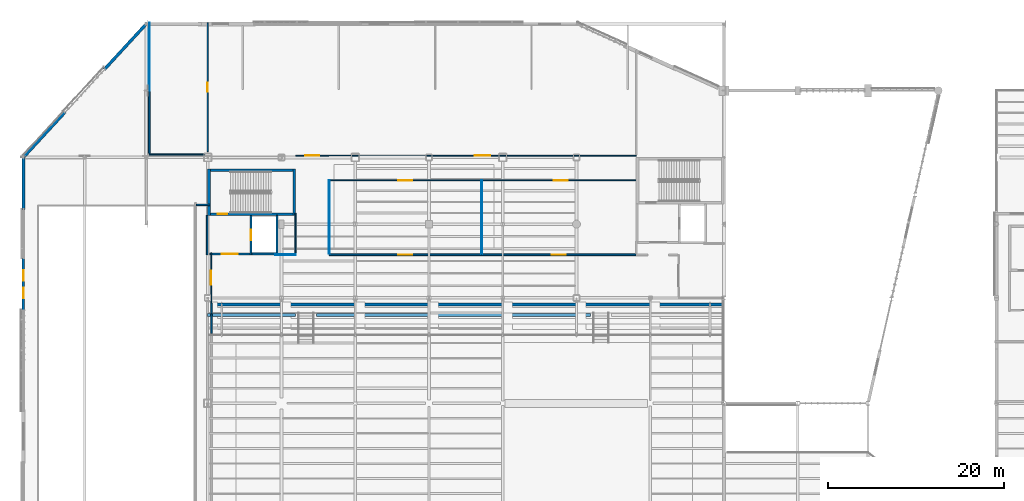
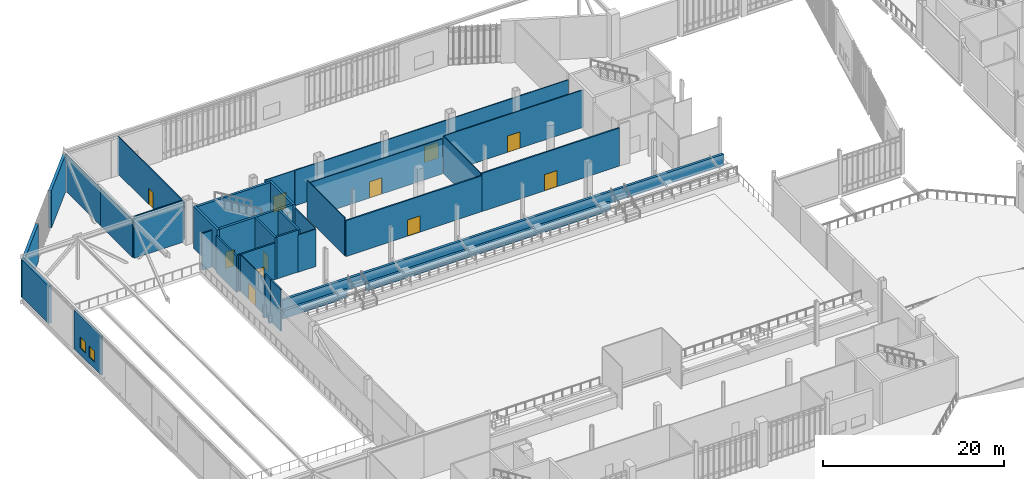
# One storey, part 111 of 135: 34 walls, 11 doors, 2 windows, 13 openings.
"""IFC4 building model written with IfcOpenShell, lengths in metres."""

import ifcopenshell
import ifcopenshell.guid

model = None  # the IFC model being written
_history = None  # IfcOwnerHistory: only IFC2X3 demands one
_inside = {}  # id of a spatial element -> (the spatial element, [elements in it])
_under = {}  # id of a project, library or spatial element -> (it, [spatial elements below it])
_declared = {}  # id of a project -> (the project, [libraries it declares])
_typed = {}  # id of a type object -> (the type object, [elements of that type])
_made_of = {}  # id of a material, layer set ... -> (it, [elements and type objects made of it])


def new_model(schema):
    """Start an empty IFC model of exactly this schema.

    Asked for "IFC4X3", IfcOpenShell would pick the latest addendum, in which some entities
    have other attributes; the version numbers below select the first issue.
    IFC2X3 requires an IfcOwnerHistory on every rooted entity: one is made here for all.
    """
    global model, _history
    if schema == "IFC4X3":
        model = ifcopenshell.file(schema_version=(4, 3, 0, 0))
    else:
        model = ifcopenshell.file(schema=schema)
    _inside.clear()
    _under.clear()
    _declared.clear()
    _typed.clear()
    _made_of.clear()
    _history = None
    if model.schema == "IFC2X3":
        org = make("IfcOrganization", Name="unknown")
        user = make(
            "IfcPersonAndOrganization",
            ThePerson=make("IfcPerson", FamilyName="unknown"),
            TheOrganization=org,
        )
        app = make(
            "IfcApplication",
            ApplicationDeveloper=org,
            Version="unknown",
            ApplicationFullName="unknown",
            ApplicationIdentifier="unknown",
        )
        _history = make(
            "IfcOwnerHistory",
            OwningUser=user,
            OwningApplication=app,
            ChangeAction="ADDED",
            CreationDate=0,
        )
    return model


def make(cls, **values):
    """One entity of the class cls with the attributes given. An attribute that is None is left unset."""
    return model.create_entity(
        cls, **{name: value for name, value in values.items() if value is not None}
    )


def rooted(cls, **values):
    """An entity with a GlobalId (a new one), such as an element, a storey or a relation."""
    return make(cls, GlobalId=ifcopenshell.guid.new(), OwnerHistory=_history, **values)


def si_unit(unit_type, name, prefix=None):
    """IfcSIUnit, for example si_unit("LENGTHUNIT", "METRE", prefix="MILLI")."""
    return make("IfcSIUnit", UnitType=unit_type, Prefix=prefix, Name=name)


def assignment(units):
    """IfcUnitAssignment: the units of a project."""
    return None if units is None else make("IfcUnitAssignment", Units=units)


def point(xyz):
    """IfcCartesianPoint."""
    return None if xyz is None else make("IfcCartesianPoint", Coordinates=xyz)


def direction(xyz):
    """IfcDirection."""
    return None if xyz is None else make("IfcDirection", DirectionRatios=xyz)


def frame(location, z_axis=None, x_axis=None):
    """IfcAxis2Placement3D, a coordinate frame: its origin and axes. An axis left out is left unset."""
    return make(
        "IfcAxis2Placement3D",
        Location=point(location),
        Axis=direction(z_axis),
        RefDirection=direction(x_axis),
    )


def frame_2d(location, x_axis=None):
    """IfcAxis2Placement2D, a coordinate frame in the plane: its origin and x axis."""
    return make(
        "IfcAxis2Placement2D", Location=point(location), RefDirection=direction(x_axis)
    )


def origin():
    """The frame at (0, 0, 0) with its axes left unset."""
    return frame((0.0, 0.0, 0.0))


def place(relative_to, where):
    """IfcLocalPlacement: puts the frame where relative to a parent placement (None: the world)."""
    return make(
        "IfcLocalPlacement", PlacementRelTo=relative_to, RelativePlacement=where
    )


def context(
    kind, dimensions, precision=None, world=None, true_north=None, identifier=None
):
    """IfcGeometricRepresentationContext, for example the 3D "Model" context."""
    return make(
        "IfcGeometricRepresentationContext",
        ContextIdentifier=identifier,
        ContextType=kind,
        CoordinateSpaceDimension=dimensions,
        Precision=precision,
        WorldCoordinateSystem=world,
        TrueNorth=true_north,
    )


def subcontext(parent, identifier, kind, view, scale=None):
    """IfcGeometricRepresentationSubContext, for example "Body" below "Model"."""
    return make(
        "IfcGeometricRepresentationSubContext",
        ContextIdentifier=identifier,
        ContextType=kind,
        ParentContext=parent,
        TargetScale=scale,
        TargetView=view,
    )


def project(units=None, contexts=None):
    """IfcProject with its units and contexts."""
    return rooted(
        "IfcProject",
        Name="project",
        RepresentationContexts=contexts,
        UnitsInContext=assignment(units),
    )


def spatial(cls, under=None, at=None, **own):
    """A site, building, storey or space (cls), placed at a placement, below another one or the project."""
    s = rooted(cls, ObjectPlacement=at, **own)
    if under is not None:
        _under.setdefault(under.id(), (under, []))[1].append(s)
    return s


def profile(cls, at=None, kind="AREA", **sizes):
    """A parametric profile (cls). Its sizes go by their IFC names, for example OverallWidth=200.0."""
    return make(cls, ProfileType=kind, Position=at, **sizes)


def rectangle(**sizes):
    """IfcRectangleProfileDef."""
    return profile("IfcRectangleProfileDef", **sizes)


def extrude(swept, where, along, depth):
    """IfcExtrudedAreaSolid: the profile swept, set in the frame where, extruded along a direction by depth."""
    return make(
        "IfcExtrudedAreaSolid",
        SweptArea=swept,
        Position=where,
        ExtrudedDirection=direction(along),
        Depth=depth,
    )


def shape(context_of_items, identifier, shape_type, items):
    """IfcShapeRepresentation: the items that make up one representation, for example the "Body"."""
    return make(
        "IfcShapeRepresentation",
        ContextOfItems=context_of_items,
        RepresentationIdentifier=identifier,
        RepresentationType=shape_type,
        Items=items,
    )


def material(Name=None, Category=None):
    """IfcMaterial."""
    return make("IfcMaterial", Name=Name, Category=Category)


def layer(
    of_material, thickness, ventilated=None, Name=None, Category=None, Priority=None
):
    """IfcMaterialLayer: one layer of a wall or slab, of a material (None: an air gap)."""
    return make(
        "IfcMaterialLayer",
        Material=of_material,
        LayerThickness=thickness,
        IsVentilated=ventilated,
        Name=Name,
        Category=Category,
        Priority=Priority,
    )


def layer_set(layers, Name=None):
    """IfcMaterialLayerSet."""
    return make("IfcMaterialLayerSet", MaterialLayers=layers, LayerSetName=Name)


def made_of(thing, what):
    """Note that an element or type object is made of a material, layer set ...; save() writes the relation."""
    if what is not None:
        _made_of.setdefault(what.id(), (what, []))[1].append(thing)
    return thing


def type_object(cls, material=None, **own):
    """A type object (cls), such as IfcWallType, which elements share."""
    return made_of(rooted(cls, **own), material)


def element(
    cls,
    number,
    at=None,
    inside=None,
    cuts=None,
    type_object=None,
    material=None,
    context=None,
    identifier="Body",
    shape_type=None,
    held_by="IfcProductDefinitionShape",
    body=None,
    shapes=None,
    **own,
):
    """One element of the class cls, such as IfcWall. Its Tag is "e" and its number.

    at: its placement. inside: the storey or other place that contains it. cuts: it is an
    opening in that element (IfcRelVoidsElement). A single representation is given by context,
    identifier, shape_type and body (its items); several are given by shapes. held_by: the class
    of the entity that holds the representations. save() writes the other relations.
    """
    e = rooted(cls, Tag="e%d" % number, ObjectPlacement=at, **own)
    if body is not None:
        shapes = [shape(context, identifier, shape_type, body)]
    if shapes is not None:
        e.Representation = make(held_by, Representations=shapes)
    if inside is not None:
        _inside.setdefault(inside.id(), (inside, []))[1].append(e)
    if cuts is not None:
        rooted(
            "IfcRelVoidsElement", RelatingBuildingElement=cuts, RelatedOpeningElement=e
        )
    if type_object is not None:
        _typed.setdefault(type_object.id(), (type_object, []))[1].append(e)
    return made_of(e, material)


def fill(opening, filler):
    """IfcRelFillsElement: the door or window that sits in an opening."""
    return rooted(
        "IfcRelFillsElement",
        RelatingOpeningElement=opening,
        RelatedBuildingElement=filler,
    )


def aggregate(whole, parts):
    """IfcRelAggregates: a whole, such as a stair, and the parts it consists of."""
    return rooted("IfcRelAggregates", RelatingObject=whole, RelatedObjects=parts)


def save(model, path):
    """Write the relations noted so far, then the file.

    IfcRelAggregates (storeys below a building ...), IfcRelContainedInSpatialStructure (elements
    in a storey), IfcRelDefinesByType, IfcRelAssociatesMaterial and IfcRelDeclares: one each for
    every whole, place, type object, material and project.
    """
    for whole, parts in _under.values():
        aggregate(whole, parts)
    for where, things in _inside.values():
        rooted(
            "IfcRelContainedInSpatialStructure",
            RelatedElements=things,
            RelatingStructure=where,
        )
    for kind, things in _typed.values():
        rooted("IfcRelDefinesByType", RelatedObjects=things, RelatingType=kind)
    for what, things in _made_of.values():
        rooted("IfcRelAssociatesMaterial", RelatedObjects=things, RelatingMaterial=what)
    for by, libraries in _declared.values():
        rooted("IfcRelDeclares", RelatingContext=by, RelatedDefinitions=libraries)
    model.write(path)


model = new_model("IFC4")

# Units and contexts
model_context = context("Model", 3, precision=1e-05, world=origin(), true_north=direction((0.0, 1.0)))
body_context = subcontext(model_context, "Body", "Model", "MODEL_VIEW")
ifc_project = project(units=[si_unit("LENGTHUNIT", "METRE"), si_unit("AREAUNIT", "SQUARE_METRE"), si_unit("VOLUMEUNIT", "CUBIC_METRE"), si_unit("PLANEANGLEUNIT", "RADIAN"), si_unit("MASSUNIT", "GRAM", prefix="KILO")], contexts=[model_context])

# Site, building, storey
site_placement = place(None, origin())
site = spatial("IfcSite", under=ifc_project, at=site_placement, CompositionType="ELEMENT")
building_placement = place(site_placement, origin())
building = spatial("IfcBuilding", under=site, at=building_placement, Name="Larkvane Passage Sports Hall", CompositionType="ELEMENT")
storey_placement = place(building_placement, frame((0.0, 0.0, 10.800048828125)))
storey = spatial("IfcBuildingStorey", under=building, at=storey_placement, Name="L02", CompositionType="ELEMENT", Elevation=10.800048828125)

# Wall
ifc_material_1 = material(Name="Concrete C50/60", Category="concrete")
ifc_layer_1 = layer(ifc_material_1, 0.340087890625)
ifc_layer_set_1 = layer_set([ifc_layer_1], Name="Concrete C50/60")
wall_type_1 = type_object("IfcWallType", Name="WL-CORE-340", PredefinedType="SHEAR", material=ifc_layer_set_1)
wall_1_placement = place(storey_placement, frame((44.64990234375, 90.300048828125, 0.0), z_axis=(0.0, 0.0, 1.0), x_axis=(0.0, -1.0, 0.0)))
element("IfcWall", 1, at=wall_1_placement, inside=storey, type_object=wall_type_1, Name="Core shear wall WAL-CORE-C2-L02-E", PredefinedType="SHEAR", context=body_context, shape_type="SweptSolid", body=[
    extrude(rectangle(XDim=5.300048828125, YDim=0.300048828125, at=frame_2d((2.64990234375, 0.0))), origin(), (0.0, 0.0, 1.0), 5.679931640625),
])

# Wall, opening, door
wall_2_placement = place(storey_placement, frame((44.5, 85.14990234375, 0.0), z_axis=(0.0, 0.0, 1.0), x_axis=(-1.0, 0.0, 0.0)))
wall_2 = element("IfcWall", 2, at=wall_2_placement, inside=storey, type_object=wall_type_1, Name="Core shear wall WAL-CORE-C2-L02-S", PredefinedType="SHEAR", context=body_context, shape_type="SweptSolid", body=[
    extrude(rectangle(XDim=9.39990234375, YDim=0.300048828125, at=frame_2d((4.699951171875, 0.0))), origin(), (0.0, 0.0, 1.0), 5.679931640625),
])
opening_1_placement = place(wall_2_placement, frame((7.5, 0.0, 0.0)))
opening_1 = element("IfcOpeningElement", 3, at=opening_1_placement, cuts=wall_2, Name="Opening DF-01", PredefinedType="OPENING", context=body_context, shape_type="SweptSolid", body=[
    extrude(rectangle(XDim=1.050048828125, YDim=2.199951171875, at=frame_2d((0.52490234375, 1.10009765625))), frame((0.0, 0.159912109375, 0.0), z_axis=(0.0, -1.0, 0.0), x_axis=(1.0, 0.0, 0.0)), (0.0, 0.0, 1.0), 0.320068359375),
])
ifc_material_2 = material(Name="Steel S355JR smoke-sealed fire door", Category="steel")
door_type_1 = type_object("IfcDoorType", Name="DR-FIRE-1050", OperationType="NOTDEFINED", PredefinedType="DOOR", material=ifc_material_2)
door_1_placement = place(opening_1_placement, origin())
door_1 = element("IfcDoor", 4, at=door_1_placement, inside=storey, type_object=door_type_1, Name="Stair ST-02 L02 fire door", OperationType="SINGLE_SWING_RIGHT", OverallHeight=2.199951171875, OverallWidth=1.050048828125, PredefinedType="DOOR", context=body_context, shape_type="SweptSolid", body=[
    extrude(rectangle(XDim=1.050048828125, YDim=2.199951171875, at=frame_2d((0.52490234375, 1.10009765625))), frame((0.0, 0.02490234375, 0.0), z_axis=(0.0, -1.0, 0.0), x_axis=(1.0, 0.0, 0.0)), (0.0, 0.0, 1.0), 0.050048828125),
])
fill(opening_1, door_1)

# Walls
wall_3_placement = place(storey_placement, frame((35.10009765625, 90.14990234375, 0.0), z_axis=(0.0, 0.0, 1.0), x_axis=(1.0, 0.0, 0.0)))
element("IfcWall", 5, at=wall_3_placement, inside=storey, type_object=wall_type_1, Name="Core shear wall WAL-CORE-C2-L02-N", PredefinedType="SHEAR", context=body_context, shape_type="SweptSolid", body=[
    extrude(rectangle(XDim=9.39990234375, YDim=0.300048828125, at=frame_2d((4.699951171875, 0.0))), origin(), (0.0, 0.0, 1.0), 5.679931640625),
])
ifc_layer_2 = layer(ifc_material_1, 0.340087890625)
ifc_layer_set_2 = layer_set([ifc_layer_2], Name="Concrete C50/60")
wall_type_2 = type_object("IfcWallType", Name="WL-CORE-EXT-340", PredefinedType="SHEAR", material=ifc_layer_set_2)
wall_4_placement = place(storey_placement, frame((34.949951171875, 85.0, 0.0), z_axis=(0.0, 0.0, 1.0), x_axis=(0.0, 1.0, 0.0)))
element("IfcWall", 6, at=wall_4_placement, inside=storey, type_object=wall_type_2, Name="Core shear wall WAL-CORE-C2-L02-W", PredefinedType="SHEAR", context=body_context, shape_type="SweptSolid", body=[
    extrude(rectangle(XDim=5.300048828125, YDim=0.300048828125, at=frame_2d((2.64990234375, 0.0))), origin(), (0.0, 0.0, 1.0), 5.679931640625),
])

# Wall, openings, windows
ifc_material_3 = material(Name="Concrete C40/50", Category="concrete")
ifc_layer_3 = layer(ifc_material_3, 0.239990234375)
ifc_layer_set_3 = layer_set([ifc_layer_3], Name="Concrete C40/50")
wall_type_3 = type_object("IfcWallType", Name="WL-EXT-240", PredefinedType="SOLIDWALL", material=ifc_layer_set_3)
wall_5_placement = place(storey_placement, frame((13.800048828125, 74.151611328125, 0.0), z_axis=(0.0, 0.0, 1.0), x_axis=(0.0, 1.0, 0.0)))
wall_5 = element("IfcWall", 7, at=wall_5_placement, inside=storey, type_object=wall_type_3, Name="Exterior wall WAL-EXT-L02-154", PredefinedType="SOLIDWALL", context=body_context, shape_type="SweptSolid", body=[
    extrude(rectangle(XDim=6.008056640625, YDim=0.239990234375, at=frame_2d((3.00390625, 0.0))), origin(), (0.0, 0.0, 1.0), 5.26806640625),
])
opening_2_placement = place(wall_5_placement, frame((1.403076171875, 0.0, 0.89990234375)))
opening_2 = element("IfcOpeningElement", 8, at=opening_2_placement, cuts=wall_5, Name="Opening W-07", PredefinedType="OPENING", context=body_context, shape_type="SweptSolid", body=[
    extrude(rectangle(XDim=1.199951171875, YDim=1.5, at=frame_2d((0.60009765625, 0.75))), frame((0.0, 0.1298828125, 0.0), z_axis=(0.0, -1.0, 0.0), x_axis=(1.0, 0.0, 0.0)), (0.0, 0.0, 1.0), 0.260009765625),
])
opening_3_placement = place(wall_5_placement, frame((3.405029296875, 0.0, 0.89990234375)))
opening_3 = element("IfcOpeningElement", 9, at=opening_3_placement, cuts=wall_5, Name="Opening W-07", PredefinedType="OPENING", context=body_context, shape_type="SweptSolid", body=[
    extrude(rectangle(XDim=1.199951171875, YDim=1.5, at=frame_2d((0.60009765625, 0.75))), frame((0.0, 0.1298828125, 0.0), z_axis=(0.0, -1.0, 0.0), x_axis=(1.0, 0.0, 0.0)), (0.0, 0.0, 1.0), 0.260009765625),
])
ifc_material_4 = material(Name="Thermally broken aluminium and laminated low-E glass", Category="aluminium")
window_type = type_object("IfcWindowType", Name="WN-CAS-1200x1500", PartitioningType="DOUBLE_PANEL_VERTICAL", PredefinedType="WINDOW", material=ifc_material_4)
window_1_placement = place(opening_2_placement, origin())
window_1 = element("IfcWindow", 10, at=window_1_placement, inside=storey, type_object=window_type, Name="Window L02-055", OverallHeight=1.5, OverallWidth=1.199951171875, PartitioningType="DOUBLE_PANEL_VERTICAL", PredefinedType="WINDOW", context=body_context, shape_type="SweptSolid", body=[
    extrude(rectangle(XDim=1.199951171875, YDim=1.5, at=frame_2d((0.60009765625, 0.75))), frame((0.0, 0.030029296875, 0.0), z_axis=(0.0, -1.0, 0.0), x_axis=(1.0, 0.0, 0.0)), (0.0, 0.0, 1.0), 0.06005859375),
])
fill(opening_2, window_1)
window_2_placement = place(opening_3_placement, origin())
window_2 = element("IfcWindow", 11, at=window_2_placement, inside=storey, type_object=window_type, Name="Window L02-056", OverallHeight=1.5, OverallWidth=1.199951171875, PartitioningType="DOUBLE_PANEL_VERTICAL", PredefinedType="WINDOW", context=body_context, shape_type="SweptSolid", body=[
    extrude(rectangle(XDim=1.199951171875, YDim=1.5, at=frame_2d((0.60009765625, 0.75))), frame((0.0, 0.030029296875, 0.0), z_axis=(0.0, -1.0, 0.0), x_axis=(1.0, 0.0, 0.0)), (0.0, 0.0, 1.0), 0.06005859375),
])
fill(opening_3, window_2)

# Walls
ifc_material_5 = material(Name="Precast concrete C45/55", Category="concrete")
ifc_layer_4 = layer(ifc_material_5, 0.344970703125)
ifc_layer_set_4 = layer_set([ifc_layer_4], Name="Precast concrete C45/55")
wall_type_4 = type_object("IfcWallType", Name="WL-EXT-345", PredefinedType="SOLIDWALL", material=ifc_layer_set_4)
wall_6_placement = place(storey_placement, frame((13.800048828125, 85.656494140625, 0.0), z_axis=(0.0, 0.0, 1.0), x_axis=(0.0, 1.0, 0.0)))
element("IfcWall", 12, at=wall_6_placement, inside=storey, type_object=wall_type_4, Name="Exterior wall WAL-EXT-L02-155", PredefinedType="SOLIDWALL", context=body_context, shape_type="SweptSolid", body=[
    extrude(rectangle(XDim=6.109130859375, YDim=0.344970703125, at=frame_2d((3.0546875, 0.0))), origin(), (0.0, 0.0, 1.0), 5.079833984375),
])
for number, where, z_axis, x_axis, name in (
    (13, (13.687744140625, 91.478271484375, 0.0), (0.0, 0.0, 1.0), (0.677479124988, 0.735542000979, 0.0), "Exterior wall WAL-EXT-L02-156"),
    (14, (23.02099609375, 101.611572265625, 0.0), (0.0, 0.0, 1.0), (0.677479124988, 0.735542000979, 0.0), "Exterior wall WAL-EXT-L02-157"),
):
    element("IfcWall", number, at=place(storey_placement, frame(where, z_axis=z_axis, x_axis=x_axis)), inside=storey, type_object=wall_type_4, Name=name, PredefinedType="SOLIDWALL", context=body_context, shape_type="SweptSolid", body=[
        extrude(rectangle(XDim=7.219482421875, YDim=0.344970703125, at=frame_2d((3.60986328125, 0.0))), origin(), (0.0, 0.0, 1.0), 5.079833984375),
    ])

# Wall, opening, door
ifc_layer_5 = layer(ifc_material_3, 0.199951171875)
ifc_layer_set_5 = layer_set([ifc_layer_5], Name="Concrete C40/50")
wall_type_5 = type_object("IfcWallType", Name="WL-LOBBY-200", PredefinedType="SOLIDWALL", material=ifc_layer_set_5)
wall_7_placement = place(storey_placement, frame((35.0, 80.60009765625, 0.0), z_axis=(0.0, 0.0, 1.0), x_axis=(1.0, 0.0, 0.0)))
wall_7 = element("IfcWall", 15, at=wall_7_placement, inside=storey, type_object=wall_type_5, Name="Protected stair lobby wall C2 L02", PredefinedType="SOLIDWALL", context=body_context, shape_type="SweptSolid", body=[
    extrude(rectangle(XDim=4.60009765625, YDim=0.199951171875, at=frame_2d((2.300048828125, 0.0))), origin(), (0.0, 0.0, 1.0), 4.949951171875),
])
opening_4_placement = place(wall_7_placement, frame((1.39990234375, 0.0, 0.0)))
opening_4 = element("IfcOpeningElement", 16, at=opening_4_placement, cuts=wall_7, Name="Opening DF-02", PredefinedType="OPENING", context=body_context, shape_type="SweptSolid", body=[
    extrude(rectangle(XDim=1.800048828125, YDim=2.199951171875, at=frame_2d((0.89990234375, 1.10009765625))), frame((0.0, 0.10986328125, 0.0), z_axis=(0.0, -1.0, 0.0), x_axis=(1.0, 0.0, 0.0)), (0.0, 0.0, 1.0), 0.219970703125),
])
ifc_material_6 = material(Name="Steel S355JR double smoke-sealed fire door", Category="steel")
door_type_2 = type_object("IfcDoorType", Name="DR-FIRE-1800", OperationType="DOUBLE_DOOR_SINGLE_SWING", PredefinedType="DOOR", material=ifc_material_6)
door_2_placement = place(opening_4_placement, origin())
door_2 = element("IfcDoor", 17, at=door_2_placement, inside=storey, type_object=door_type_2, Name="Lobby smoke door C2 L02", OperationType="DOUBLE_DOOR_SINGLE_SWING", OverallHeight=2.199951171875, OverallWidth=1.800048828125, PredefinedType="DOOR", context=body_context, shape_type="SweptSolid", body=[
    extrude(rectangle(XDim=1.800048828125, YDim=2.199951171875, at=frame_2d((0.89990234375, 1.10009765625))), frame((0.0, 0.02490234375, 0.0), z_axis=(0.0, -1.0, 0.0), x_axis=(1.0, 0.0, 0.0)), (0.0, 0.0, 1.0), 0.050048828125),
])
fill(opening_4, door_2)

# Walls
ifc_material_7 = material(Name="Gypsum twin-stud acoustic partition")
ifc_layer_6 = layer(ifc_material_7, 0.10009765625)
ifc_layer_set_6 = layer_set([ifc_layer_6], Name="Gypsum twin-stud acoustic partition")
wall_type_6 = type_object("IfcWallType", Name="WL-PART-100", PredefinedType="PARTITIONING", material=ifc_layer_set_6)
wall_8_placement = place(storey_placement, frame((28.139892578125, 99.199951171875, 0.0), z_axis=(0.0, 0.0, 1.0), x_axis=(0.0, 1.0, 0.0)))
element("IfcWall", 18, at=wall_8_placement, inside=storey, type_object=wall_type_6, Name="Interior partition WAL-PART-L02-0214", PredefinedType="PARTITIONING", context=body_context, shape_type="SweptSolid", body=[
    extrude(rectangle(XDim=7.75146484375, YDim=0.10009765625, at=frame_2d((3.875732421875, 0.0))), origin(), (0.0, 0.0, 1.0), 5.08203125),
])
wall_9_placement = place(storey_placement, frame((66.0, 80.639892578125, 0.0), z_axis=(0.0, 0.0, 1.0), x_axis=(0.0, 1.0, 0.0)))
element("IfcWall", 19, at=wall_9_placement, inside=storey, type_object=wall_type_6, Name="Interior partition WAL-PART-L02-0222", PredefinedType="PARTITIONING", context=body_context, shape_type="SweptSolid", body=[
    extrude(rectangle(XDim=8.340087890625, YDim=0.10009765625, at=frame_2d((4.169921875, 0.0))), origin(), (0.0, 0.0, 1.0), 5.06201171875),
])
wall_10_placement = place(storey_placement, frame((48.6201171875, 80.639892578125, 0.0), z_axis=(0.0, 0.0, 1.0), x_axis=(0.0, 1.0, 0.0)))
element("IfcWall", 20, at=wall_10_placement, inside=storey, type_object=wall_type_6, Name="Interior partition WAL-PART-L02-0226", PredefinedType="PARTITIONING", context=body_context, shape_type="SweptSolid", body=[
    extrude(rectangle(XDim=8.340087890625, YDim=0.10009765625, at=frame_2d((4.169921875, 0.0))), origin(), (0.0, 0.0, 1.0), 5.161865234375),
])

# Wall, opening, door
wall_11_placement = place(storey_placement, frame((35.199951171875, 80.760009765625, 0.0), z_axis=(0.0, 0.0, 1.0), x_axis=(0.0, -1.0, 0.0)))
wall_11 = element("IfcWall", 21, at=wall_11_placement, inside=storey, type_object=wall_type_6, Name="Interior partition WAL-PART-L02-0254", PredefinedType="PARTITIONING", context=body_context, shape_type="SweptSolid", body=[
    extrude(rectangle(XDim=5.74609375, YDim=0.10009765625, at=frame_2d((2.873046875, 0.0))), origin(), (0.0, 0.0, 1.0), 4.949951171875),
])
opening_5_placement = place(wall_11_placement, frame((2.072998046875, 0.0, 0.0)))
opening_5 = element("IfcOpeningElement", 22, at=opening_5_placement, cuts=wall_11, Name="Opening DI-03", PredefinedType="OPENING", context=body_context, shape_type="SweptSolid", body=[
    extrude(rectangle(XDim=1.60009765625, YDim=2.199951171875, at=frame_2d((0.800048828125, 1.10009765625))), frame((0.0, 0.06005859375, 0.0), z_axis=(0.0, -1.0, 0.0), x_axis=(1.0, 0.0, 0.0)), (0.0, 0.0, 1.0), 0.1201171875),
])
ifc_material_8 = material(Name="Glazed aluminium studio double door", Category="aluminium")
door_type_3 = type_object("IfcDoorType", Name="DR-INT-1600", OperationType="DOUBLE_DOOR_SINGLE_SWING", PredefinedType="DOOR", material=ifc_material_8)
door_3_placement = place(opening_5_placement, origin())
door_3 = element("IfcDoor", 23, at=door_3_placement, inside=storey, type_object=door_type_3, Name="Interior door L02-0085", OperationType="DOUBLE_DOOR_SINGLE_SWING", OverallHeight=2.199951171875, OverallWidth=1.60009765625, PredefinedType="DOOR", context=body_context, shape_type="SweptSolid", body=[
    extrude(rectangle(XDim=1.60009765625, YDim=2.199951171875, at=frame_2d((0.800048828125, 1.10009765625))), frame((0.0, 0.02490234375, 0.0), z_axis=(0.0, -1.0, 0.0), x_axis=(1.0, 0.0, 0.0)), (0.0, 0.0, 1.0), 0.050048828125),
])
fill(opening_5, door_3)

# Wall
wall_12_placement = place(storey_placement, frame((42.5, 80.5, 0.0), z_axis=(0.0, 0.0, 1.0), x_axis=(1.0, 0.0, 0.0)))
element("IfcWall", 24, at=wall_12_placement, inside=storey, type_object=wall_type_6, Name="Interior partition WAL-PART-L02-0258", PredefinedType="PARTITIONING", context=body_context, shape_type="SweptSolid", body=[
    extrude(rectangle(XDim=2.300048828125, YDim=0.10009765625, at=frame_2d((1.14990234375, 0.0))), origin(), (0.0, 0.0, 1.0), 5.06201171875),
])

# Wall, opening, door
wall_13_placement = place(storey_placement, frame((44.800048828125, 91.800048828125, 0.0), z_axis=(0.0, 0.0, 1.0), x_axis=(1.0, 0.0, 0.0)))
wall_13 = element("IfcWall", 25, at=wall_13_placement, inside=storey, type_object=wall_type_6, Name="Interior partition WAL-PART-L02-0262", PredefinedType="PARTITIONING", context=body_context, shape_type="SweptSolid", body=[
    extrude(rectangle(XDim=3.800048828125, YDim=0.10009765625, at=frame_2d((1.89990234375, 0.0))), origin(), (0.0, 0.0, 1.0), 4.800048828125),
])
opening_6_placement = place(wall_13_placement, frame((1.10009765625, 0.0, 0.0)))
opening_6 = element("IfcOpeningElement", 26, at=opening_6_placement, cuts=wall_13, Name="Opening DI-03", PredefinedType="OPENING", context=body_context, shape_type="SweptSolid", body=[
    extrude(rectangle(XDim=1.60009765625, YDim=2.199951171875, at=frame_2d((0.800048828125, 1.10009765625))), frame((0.0, 0.06005859375, 0.0), z_axis=(0.0, -1.0, 0.0), x_axis=(1.0, 0.0, 0.0)), (0.0, 0.0, 1.0), 0.1201171875),
])
door_4_placement = place(opening_6_placement, origin())
door_4 = element("IfcDoor", 27, at=door_4_placement, inside=storey, type_object=door_type_3, Name="Interior door L02-0086", OperationType="DOUBLE_DOOR_SINGLE_SWING", OverallHeight=2.199951171875, OverallWidth=1.60009765625, PredefinedType="DOOR", context=body_context, shape_type="SweptSolid", body=[
    extrude(rectangle(XDim=1.60009765625, YDim=2.199951171875, at=frame_2d((0.800048828125, 1.10009765625))), frame((0.0, 0.02490234375, 0.0), z_axis=(0.0, -1.0, 0.0), x_axis=(1.0, 0.0, 0.0)), (0.0, 0.0, 1.0), 0.050048828125),
])
fill(opening_6, door_4)

ifc_material_9 = material(Name="Gypsum twin-stud fire-rated partition")
ifc_layer_7 = layer(ifc_material_9, 0.125)
ifc_layer_set_7 = layer_set([ifc_layer_7], Name="Gypsum twin-stud fire-rated partition")
wall_type_7 = type_object("IfcWallType", Name="WL-PART-125", PredefinedType="PARTITIONING", material=ifc_layer_set_7)
wall_14_placement = place(storey_placement, frame((34.800048828125, 106.91162109375, 0.0), z_axis=(0.0, 0.0, 1.0), x_axis=(0.0, -1.0, 0.0)))
wall_14 = element("IfcWall", 28, at=wall_14_placement, inside=storey, type_object=wall_type_7, Name="Interior partition WAL-PART-L02-0215", PredefinedType="PARTITIONING", context=body_context, shape_type="SweptSolid", body=[
    extrude(rectangle(XDim=14.647705078125, YDim=0.125, at=frame_2d((7.32373046875, 0.0))), origin(), (0.0, 0.0, 1.0), 5.08203125),
])
opening_7_placement = place(wall_14_placement, frame((6.823974609375, 0.0, 0.0)))
opening_7 = element("IfcOpeningElement", 29, at=opening_7_placement, cuts=wall_14, Name="Opening DI-01", PredefinedType="OPENING", context=body_context, shape_type="SweptSolid", body=[
    extrude(rectangle(XDim=1.0, YDim=2.14990234375, at=frame_2d((0.5, 1.074951171875))), frame((0.0, 0.072509765625, 0.0), z_axis=(0.0, -1.0, 0.0), x_axis=(1.0, 0.0, 0.0)), (0.0, 0.0, 1.0), 0.14501953125),
])
ifc_material_10 = material(Name="Solid-core hardwood acoustic door", Category="wood")
door_type_4 = type_object("IfcDoorType", Name="DR-INT-1000", OperationType="NOTDEFINED", PredefinedType="DOOR", material=ifc_material_10)
door_5_placement = place(opening_7_placement, origin())
door_5 = element("IfcDoor", 30, at=door_5_placement, inside=storey, type_object=door_type_4, Name="Interior door L02-0073", OperationType="SINGLE_SWING_RIGHT", OverallHeight=2.14990234375, OverallWidth=1.0, PredefinedType="DOOR", context=body_context, shape_type="SweptSolid", body=[
    extrude(rectangle(XDim=1.0, YDim=2.14990234375, at=frame_2d((0.5, 1.074951171875))), frame((0.0, 0.02490234375, 0.0), z_axis=(0.0, -1.0, 0.0), x_axis=(1.0, 0.0, 0.0)), (0.0, 0.0, 1.0), 0.050048828125),
])
fill(opening_7, door_5)

wall_15_placement = place(storey_placement, frame((66.1201171875, 88.97998046875, 0.0), z_axis=(0.0, 0.0, 1.0), x_axis=(1.0, 0.0, 0.0)))
wall_15 = element("IfcWall", 31, at=wall_15_placement, inside=storey, type_object=wall_type_7, Name="Interior partition WAL-PART-L02-0223", PredefinedType="PARTITIONING", context=body_context, shape_type="SweptSolid", body=[
    extrude(rectangle(XDim=17.739990234375, YDim=0.125, at=frame_2d((8.8701171875, 0.0))), origin(), (0.0, 0.0, 1.0), 5.06787109375),
])
opening_8_placement = place(wall_15_placement, frame((8.070068359375, 0.0, 0.0)))
opening_8 = element("IfcOpeningElement", 32, at=opening_8_placement, cuts=wall_15, Name="Opening DI-03", PredefinedType="OPENING", context=body_context, shape_type="SweptSolid", body=[
    extrude(rectangle(XDim=1.60009765625, YDim=2.199951171875, at=frame_2d((0.800048828125, 1.10009765625))), frame((0.0, 0.072509765625, 0.0), z_axis=(0.0, -1.0, 0.0), x_axis=(1.0, 0.0, 0.0)), (0.0, 0.0, 1.0), 0.14501953125),
])
door_6_placement = place(opening_8_placement, origin())
door_6 = element("IfcDoor", 33, at=door_6_placement, inside=storey, type_object=door_type_3, Name="Interior door L02-0067", OperationType="DOUBLE_DOOR_SINGLE_SWING", OverallHeight=2.199951171875, OverallWidth=1.60009765625, PredefinedType="DOOR", context=body_context, shape_type="SweptSolid", body=[
    extrude(rectangle(XDim=1.60009765625, YDim=2.199951171875, at=frame_2d((0.800048828125, 1.10009765625))), frame((0.0, 0.02490234375, 0.0), z_axis=(0.0, -1.0, 0.0), x_axis=(1.0, 0.0, 0.0)), (0.0, 0.0, 1.0), 0.050048828125),
])
fill(opening_8, door_6)

wall_16_placement = place(storey_placement, frame((48.739990234375, 88.97998046875, 0.0), z_axis=(0.0, 0.0, 1.0), x_axis=(1.0, 0.0, 0.0)))
wall_16 = element("IfcWall", 34, at=wall_16_placement, inside=storey, type_object=wall_type_7, Name="Interior partition WAL-PART-L02-0227", PredefinedType="PARTITIONING", context=body_context, shape_type="SweptSolid", body=[
    extrude(rectangle(XDim=17.139892578125, YDim=0.125, at=frame_2d((8.56982421875, 0.0))), origin(), (0.0, 0.0, 1.0), 4.760009765625),
])
opening_9_placement = place(wall_16_placement, frame((7.77001953125, 0.0, 0.0)))
opening_9 = element("IfcOpeningElement", 35, at=opening_9_placement, cuts=wall_16, Name="Opening DI-03", PredefinedType="OPENING", context=body_context, shape_type="SweptSolid", body=[
    extrude(rectangle(XDim=1.60009765625, YDim=2.199951171875, at=frame_2d((0.800048828125, 1.10009765625))), frame((0.0, 0.072509765625, 0.0), z_axis=(0.0, -1.0, 0.0), x_axis=(1.0, 0.0, 0.0)), (0.0, 0.0, 1.0), 0.14501953125),
])
door_7_placement = place(opening_9_placement, origin())
door_7 = element("IfcDoor", 36, at=door_7_placement, inside=storey, type_object=door_type_3, Name="Interior door L02-0070", OperationType="DOUBLE_DOOR_SINGLE_SWING", OverallHeight=2.199951171875, OverallWidth=1.60009765625, PredefinedType="DOOR", context=body_context, shape_type="SweptSolid", body=[
    extrude(rectangle(XDim=1.60009765625, YDim=2.199951171875, at=frame_2d((0.800048828125, 1.10009765625))), frame((0.0, 0.02490234375, 0.0), z_axis=(0.0, -1.0, 0.0), x_axis=(1.0, 0.0, 0.0)), (0.0, 0.0, 1.0), 0.050048828125),
])
fill(opening_9, door_7)

# Wall
wall_17_placement = place(storey_placement, frame((44.800048828125, 80.6201171875, 0.0), z_axis=(0.0, 0.0, 1.0), x_axis=(0.0, 1.0, 0.0)))
element("IfcWall", 37, at=wall_17_placement, inside=storey, type_object=wall_type_7, Name="Interior partition WAL-PART-L02-0259", PredefinedType="PARTITIONING", context=body_context, shape_type="SweptSolid", body=[
    extrude(rectangle(XDim=4.639892578125, YDim=0.125, at=frame_2d((2.31982421875, 0.0))), origin(), (0.0, 0.0, 1.0), 5.161865234375),
])

# Wall, opening, door
wall_18_placement = place(storey_placement, frame((48.60009765625, 91.800048828125, 0.0), z_axis=(0.0, 0.0, 1.0), x_axis=(1.0, 0.0, 0.0)))
wall_18 = element("IfcWall", 38, at=wall_18_placement, inside=storey, type_object=wall_type_7, Name="Interior partition WAL-PART-L02-0263", PredefinedType="PARTITIONING", context=body_context, shape_type="SweptSolid", body=[
    extrude(rectangle(XDim=35.0, YDim=0.125, at=frame_2d((17.5, 0.0))), origin(), (0.0, 0.0, 1.0), 4.800048828125),
])
opening_10_placement = place(wall_18_placement, frame((16.60009765625, 0.0, 0.0)))
opening_10 = element("IfcOpeningElement", 39, at=opening_10_placement, cuts=wall_18, Name="Opening DF-02", PredefinedType="OPENING", context=body_context, shape_type="SweptSolid", body=[
    extrude(rectangle(XDim=1.800048828125, YDim=2.199951171875, at=frame_2d((0.89990234375, 1.10009765625))), frame((0.0, 0.072509765625, 0.0), z_axis=(0.0, -1.0, 0.0), x_axis=(1.0, 0.0, 0.0)), (0.0, 0.0, 1.0), 0.14501953125),
])
door_8_placement = place(opening_10_placement, origin())
door_8 = element("IfcDoor", 40, at=door_8_placement, inside=storey, type_object=door_type_2, Name="Interior door L02-0083", OperationType="DOUBLE_DOOR_SINGLE_SWING", OverallHeight=2.199951171875, OverallWidth=1.800048828125, PredefinedType="DOOR", context=body_context, shape_type="SweptSolid", body=[
    extrude(rectangle(XDim=1.800048828125, YDim=2.199951171875, at=frame_2d((0.89990234375, 1.10009765625))), frame((0.0, 0.02490234375, 0.0), z_axis=(0.0, -1.0, 0.0), x_axis=(1.0, 0.0, 0.0)), (0.0, 0.0, 1.0), 0.050048828125),
])
fill(opening_10, door_8)

# Walls
ifc_material_11 = material(Name="Gypsum acoustic partition")
ifc_layer_8 = layer(ifc_material_11, 0.14990234375)
ifc_layer_set_8 = layer_set([ifc_layer_8], Name="Gypsum acoustic partition")
wall_type_8 = type_object("IfcWallType", Name="WL-PART-150", PredefinedType="PARTITIONING", material=ifc_layer_set_8)
wall_19_placement = place(storey_placement, frame((35.219970703125, 71.555908203125, 0.0), z_axis=(0.0, 0.0, 1.0), x_axis=(0.0, 1.0, 0.0)))
element("IfcWall", 41, at=wall_19_placement, inside=storey, type_object=wall_type_8, Name="Interior partition WAL-PART-L02-0204", PredefinedType="PARTITIONING", context=body_context, shape_type="SweptSolid", body=[
    extrude(rectangle(XDim=2.258056640625, YDim=0.14990234375, at=frame_2d((1.12890625, 0.0))), origin(), (0.0, 0.0, 1.0), 5.64990234375),
])
wall_20_placement = place(storey_placement, frame((34.47607421875, 91.93994140625, 0.0), z_axis=(0.0, 0.0, 1.0), x_axis=(-1.0, 0.0, 0.0)))
element("IfcWall", 42, at=wall_20_placement, inside=storey, type_object=wall_type_8, Name="Interior partition WAL-PART-L02-0212", PredefinedType="PARTITIONING", context=body_context, shape_type="SweptSolid", body=[
    extrude(rectangle(XDim=6.336181640625, YDim=0.14990234375, at=frame_2d((3.16796875, 0.0))), origin(), (0.0, 0.0, 1.0), 5.64990234375),
])
ifc_material_12 = material(Name="Gypsum high-bay court partition")
ifc_layer_9 = layer(ifc_material_12, 0.179931640625)
ifc_layer_set_9 = layer_set([ifc_layer_9], Name="Gypsum high-bay court partition")
wall_type_9 = type_object("IfcWallType", Name="WL-PART-180", PredefinedType="PARTITIONING", material=ifc_layer_set_9)
wall_21_placement = place(storey_placement, frame((35.219970703125, 73.805908203125, 0.0), z_axis=(0.0, 0.0, 1.0), x_axis=(0.0, 1.0, 0.0)))
element("IfcWall", 43, at=wall_21_placement, inside=storey, type_object=wall_type_9, Name="Interior partition WAL-PART-L02-0205", PredefinedType="PARTITIONING", context=body_context, shape_type="SweptSolid", body=[
    extrude(rectangle(XDim=1.2080078125, YDim=0.179931640625, at=frame_2d((0.60400390625, 0.0))), origin(), (0.0, 0.0, 1.0), 5.64990234375),
])
wall_22_placement = place(storey_placement, frame((28.139892578125, 92.06005859375, 0.0), z_axis=(0.0, 0.0, 1.0), x_axis=(0.0, 1.0, 0.0)))
element("IfcWall", 44, at=wall_22_placement, inside=storey, type_object=wall_type_9, Name="Interior partition WAL-PART-L02-0213", PredefinedType="PARTITIONING", context=body_context, shape_type="SweptSolid", body=[
    extrude(rectangle(XDim=7.139892578125, YDim=0.179931640625, at=frame_2d((3.56982421875, 0.0))), origin(), (0.0, 0.0, 1.0), 5.08203125),
])

# Wall, opening, door
wall_23_placement = place(storey_placement, frame((83.60009765625, 80.52001953125, 0.0), z_axis=(0.0, 0.0, 1.0), x_axis=(-1.0, 0.0, 0.0)))
wall_23 = element("IfcWall", 45, at=wall_23_placement, inside=storey, type_object=wall_type_9, Name="Interior partition WAL-PART-L02-0221", PredefinedType="PARTITIONING", context=body_context, shape_type="SweptSolid", body=[
    extrude(rectangle(XDim=17.60009765625, YDim=0.179931640625, at=frame_2d((8.800048828125, 0.0))), origin(), (0.0, 0.0, 1.0), 5.161865234375),
])
opening_11_placement = place(wall_23_placement, frame((8.0, 0.0, 0.0)))
opening_11 = element("IfcOpeningElement", 46, at=opening_11_placement, cuts=wall_23, Name="Opening DI-03", PredefinedType="OPENING", context=body_context, shape_type="SweptSolid", body=[
    extrude(rectangle(XDim=1.60009765625, YDim=2.199951171875, at=frame_2d((0.800048828125, 1.10009765625))), frame((0.0, 0.099853515625, 0.0), z_axis=(0.0, -1.0, 0.0), x_axis=(1.0, 0.0, 0.0)), (0.0, 0.0, 1.0), 0.199951171875),
])
door_9_placement = place(opening_11_placement, origin())
door_9 = element("IfcDoor", 47, at=door_9_placement, inside=storey, type_object=door_type_3, Name="Interior door L02-0068", OperationType="DOUBLE_DOOR_SINGLE_SWING", OverallHeight=2.199951171875, OverallWidth=1.60009765625, PredefinedType="DOOR", context=body_context, shape_type="SweptSolid", body=[
    extrude(rectangle(XDim=1.60009765625, YDim=2.199951171875, at=frame_2d((0.800048828125, 1.10009765625))), frame((0.0, 0.02490234375, 0.0), z_axis=(0.0, -1.0, 0.0), x_axis=(1.0, 0.0, 0.0)), (0.0, 0.0, 1.0), 0.050048828125),
])
fill(opening_11, door_9)

wall_24_placement = place(storey_placement, frame((65.97998046875, 80.52001953125, 0.0), z_axis=(0.0, 0.0, 1.0), x_axis=(-1.0, 0.0, 0.0)))
wall_24 = element("IfcWall", 48, at=wall_24_placement, inside=storey, type_object=wall_type_9, Name="Interior partition WAL-PART-L02-0225", PredefinedType="PARTITIONING", context=body_context, shape_type="SweptSolid", body=[
    extrude(rectangle(XDim=17.35986328125, YDim=0.179931640625, at=frame_2d((8.679931640625, 0.0))), origin(), (0.0, 0.0, 1.0), 4.849853515625),
])
opening_12_placement = place(wall_24_placement, frame((7.8798828125, 0.0, 0.0)))
opening_12 = element("IfcOpeningElement", 49, at=opening_12_placement, cuts=wall_24, Name="Opening DI-03", PredefinedType="OPENING", context=body_context, shape_type="SweptSolid", body=[
    extrude(rectangle(XDim=1.60009765625, YDim=2.199951171875, at=frame_2d((0.800048828125, 1.10009765625))), frame((0.0, 0.099853515625, 0.0), z_axis=(0.0, -1.0, 0.0), x_axis=(1.0, 0.0, 0.0)), (0.0, 0.0, 1.0), 0.199951171875),
])
door_10_placement = place(opening_12_placement, origin())
door_10 = element("IfcDoor", 50, at=door_10_placement, inside=storey, type_object=door_type_3, Name="Interior door L02-0069", OperationType="DOUBLE_DOOR_SINGLE_SWING", OverallHeight=2.199951171875, OverallWidth=1.60009765625, PredefinedType="DOOR", context=body_context, shape_type="SweptSolid", body=[
    extrude(rectangle(XDim=1.60009765625, YDim=2.199951171875, at=frame_2d((0.800048828125, 1.10009765625))), frame((0.0, 0.02490234375, 0.0), z_axis=(0.0, -1.0, 0.0), x_axis=(1.0, 0.0, 0.0)), (0.0, 0.0, 1.0), 0.050048828125),
])
fill(opening_12, door_10)

# Walls
wall_25_placement = place(storey_placement, frame((34.739990234375, 85.0, 0.0), z_axis=(0.0, 0.0, 1.0), x_axis=(0.0, -1.0, 0.0)))
element("IfcWall", 51, at=wall_25_placement, inside=storey, type_object=wall_type_9, Name="Interior partition WAL-PART-L02-0253", PredefinedType="PARTITIONING", context=body_context, shape_type="SweptSolid", body=[
    extrude(rectangle(XDim=4.5, YDim=0.179931640625, at=frame_2d((2.25, 0.0))), origin(), (0.0, 0.0, 1.0), 4.949951171875),
])
wall_26_placement = place(storey_placement, frame((33.52001953125, 86.199951171875, 0.0), z_axis=(0.0, 0.0, 1.0), x_axis=(1.0, 0.0, 0.0)))
element("IfcWall", 52, at=wall_26_placement, inside=storey, type_object=wall_type_9, Name="Interior partition WAL-PART-L02-0257", PredefinedType="PARTITIONING", context=body_context, shape_type="SweptSolid", body=[
    extrude(rectangle(XDim=1.5400390625, YDim=0.179931640625, at=frame_2d((0.77001953125, 0.0))), origin(), (0.0, 0.0, 1.0), 4.949951171875),
])

# Wall, opening, door
ifc_layer_10 = layer(ifc_material_3, 0.219970703125)
ifc_layer_set_10 = layer_set([ifc_layer_10], Name="Concrete C40/50")
wall_type_10 = type_object("IfcWallType", Name="WL-SHAFT-220", PredefinedType="SOLIDWALL", material=ifc_layer_set_10)
wall_27_placement = place(storey_placement, frame((39.7099609375, 80.5, 0.0), z_axis=(0.0, 0.0, 1.0), x_axis=(0.0, 1.0, 0.0)))
wall_27 = element("IfcWall", 53, at=wall_27_placement, inside=storey, type_object=wall_type_10, Name="Lift shaft front wall L-03 L02", PredefinedType="SOLIDWALL", context=body_context, shape_type="SweptSolid", body=[
    extrude(rectangle(XDim=4.5, YDim=0.219970703125, at=frame_2d((2.25, 0.0))), origin(), (0.0, 0.0, 1.0), 5.679931640625),
])
opening_13_placement = place(wall_27_placement, frame((1.64990234375, 0.0, 0.0)))
opening_13 = element("IfcOpeningElement", 54, at=opening_13_placement, cuts=wall_27, Name="Opening LD-01", PredefinedType="OPENING", context=body_context, shape_type="SweptSolid", body=[
    extrude(rectangle(XDim=1.199951171875, YDim=2.199951171875, at=frame_2d((0.60009765625, 1.10009765625))), frame((0.0, 0.119873046875, 0.0), z_axis=(0.0, -1.0, 0.0), x_axis=(1.0, 0.0, 0.0)), (0.0, 0.0, 1.0), 0.239990234375),
])
ifc_material_13 = material(Name="Stainless steel S355JR lift landing door", Category="steel")
door_type_5 = type_object("IfcDoorType", Name="DR-LIFT-1200", OperationType="SLIDING_TO_LEFT", PredefinedType="DOOR", material=ifc_material_13)
door_11_placement = place(opening_13_placement, origin())
door_11 = element("IfcDoor", 55, at=door_11_placement, inside=storey, type_object=door_type_5, Name="Lift landing door L-03 L02", OperationType="SLIDING_TO_LEFT", OverallHeight=2.199951171875, OverallWidth=1.199951171875, PredefinedType="DOOR", context=body_context, shape_type="SweptSolid", body=[
    extrude(rectangle(XDim=1.199951171875, YDim=2.199951171875, at=frame_2d((0.60009765625, 1.10009765625))), frame((0.0, 0.02490234375, 0.0), z_axis=(0.0, -1.0, 0.0), x_axis=(1.0, 0.0, 0.0)), (0.0, 0.0, 1.0), 0.050048828125),
])
fill(opening_13, door_11)

# Walls
wall_28_placement = place(storey_placement, frame((42.68994140625, 80.5, 0.0), z_axis=(0.0, 0.0, 1.0), x_axis=(0.0, 1.0, 0.0)))
element("IfcWall", 56, at=wall_28_placement, inside=storey, type_object=wall_type_10, Name="Lift shaft rear wall L-03 L02", PredefinedType="SOLIDWALL", context=body_context, shape_type="SweptSolid", body=[
    extrude(rectangle(XDim=4.5, YDim=0.219970703125, at=frame_2d((2.25, 0.0))), origin(), (0.0, 0.0, 1.0), 5.679931640625),
])
wall_29_placement = place(storey_placement, frame((39.820068359375, 80.610107421875, 0.0), z_axis=(0.0, 0.0, 1.0), x_axis=(1.0, 0.0, 0.0)))
element("IfcWall", 57, at=wall_29_placement, inside=storey, type_object=wall_type_10, Name="Lift shaft end wall L-03 L02", PredefinedType="SOLIDWALL", context=body_context, shape_type="SweptSolid", body=[
    extrude(rectangle(XDim=2.760009765625, YDim=0.219970703125, at=frame_2d((1.3798828125, 0.0))), origin(), (0.0, 0.0, 1.0), 5.679931640625),
])
ifc_layer_11 = layer(ifc_material_3, 0.320068359375)
ifc_layer_set_11 = layer_set([ifc_layer_11], Name="Concrete C40/50")
wall_type_11 = type_object("IfcWallType", Name="WL-STAND-320", PredefinedType="SOLIDWALL", material=ifc_layer_set_11)
wall_30_placement = place(storey_placement, frame((34.800048828125, 73.64990234375, 0.0), z_axis=(0.0, 0.0, 1.0), x_axis=(1.0, 0.0, 0.0)))
element("IfcWall", 58, at=wall_30_placement, inside=storey, type_object=wall_type_11, Name="Arena stand middle riser wall N-W1", PredefinedType="SOLIDWALL", context=body_context, shape_type="SweptSolid", body=[
    extrude(rectangle(XDim=10.0, YDim=0.320068359375, at=frame_2d((5.0, 0.0))), origin(), (0.0, 0.0, 1.0), 1.06494140625),
])
wall_31_placement = place(storey_placement, frame((47.199951171875, 73.64990234375, 0.0), z_axis=(0.0, 0.0, 1.0), x_axis=(1.0, 0.0, 0.0)))
element("IfcWall", 59, at=wall_31_placement, inside=storey, type_object=wall_type_11, Name="Arena stand middle riser wall N-M", PredefinedType="SOLIDWALL", context=body_context, shape_type="SweptSolid", body=[
    extrude(rectangle(XDim=31.199951171875, YDim=0.320068359375, at=frame_2d((15.60009765625, 0.0))), origin(), (0.0, 0.0, 1.0), 1.06494140625),
])
wall_32_placement = place(storey_placement, frame((34.800048828125, 74.85009765625, 0.0), z_axis=(0.0, 0.0, 1.0), x_axis=(1.0, 0.0, 0.0)))
element("IfcWall", 60, at=wall_32_placement, inside=storey, type_object=wall_type_11, Name="Arena stand rear riser wall N-FULL", PredefinedType="SOLIDWALL", context=body_context, shape_type="SweptSolid", body=[
    extrude(rectangle(XDim=58.800048828125, YDim=0.320068359375, at=frame_2d((29.39990234375, 0.0))), origin(), (0.0, 0.0, 1.0), 1.579833984375),
])

save(model, "model.ifc")
